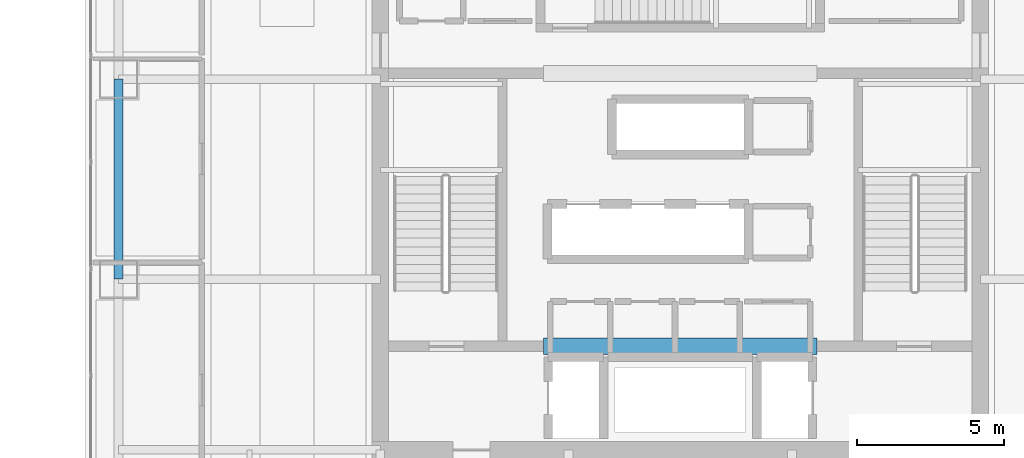
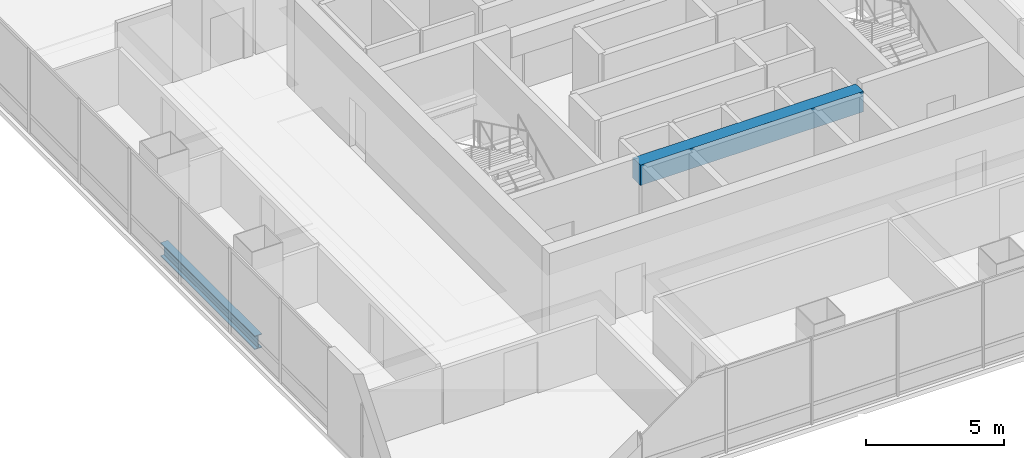
# One storey, part 8 of 51: 2 beams.
"""IFC4 building model written with IfcOpenShell, lengths in metres."""

from ifc_helpers import new_model, si_unit, direction, frame, origin, origin_2d, place, context, subcontext, project, spatial, rectangle, i_section, extrude, material, material_profile, profile_set, type_object, element, save


model = new_model("IFC4")

# Units and contexts
model_context = context("Model", 3, precision=1e-05, world=origin(), true_north=direction((0.0, 1.0)))
body_context = subcontext(model_context, "Body", "Model", "MODEL_VIEW")
ifc_project = project(units=[si_unit("LENGTHUNIT", "METRE"), si_unit("AREAUNIT", "SQUARE_METRE"), si_unit("VOLUMEUNIT", "CUBIC_METRE"), si_unit("PLANEANGLEUNIT", "RADIAN"), si_unit("MASSUNIT", "GRAM", prefix="KILO")], contexts=[model_context])

# Site, building, storey
site_placement = place(None, origin())
site = spatial("IfcSite", under=ifc_project, at=site_placement, CompositionType="ELEMENT")
building_placement = place(site_placement, origin())
building = spatial("IfcBuilding", under=site, at=building_placement, Name="Punatoya Terracotta Tower", CompositionType="ELEMENT")
storey_placement = place(building_placement, frame((0.0, 0.0, 279.75)))
storey = spatial("IfcBuildingStorey", under=building, at=storey_placement, Name="L66", CompositionType="ELEMENT", Elevation=279.75)

# Beams
ifc_material_1 = material(Name="Steel S355", Category="steel")
ifc_material_profile_1 = material_profile(ifc_material_1, i_section(OverallWidth=0.300048828125, OverallDepth=0.60009765625, WebThickness=0.015380859375, FlangeThickness=0.030029296875, FilletRadius=0.01806640625, at=origin_2d()))
ifc_profile_set_1 = profile_set([ifc_material_profile_1], Name="Steel S355")
beam_type_1 = type_object("IfcBeamType", Name="BM-PRI-600", PredefinedType="BEAM", material=ifc_profile_set_1)
beam_1_placement = place(storey_placement, frame((-19.10009765625, -3.39990234375, -0.5), z_axis=(0.0, 1.0, 0.0), x_axis=(-1.0, 0.0, 0.0)))
element("IfcBeam", 1, at=beam_1_placement, inside=storey, type_object=beam_type_1, Name="BM-L66-RG-W2", PredefinedType="BEAM", context=body_context, shape_type="SweptSolid", body=[
    extrude(i_section(OverallWidth=0.300048828125, OverallDepth=0.60009765625, WebThickness=0.015380859375, FlangeThickness=0.030029296875, FilletRadius=0.01806640625, at=origin_2d()), origin(), (0.0, 0.0, 1.0), 6.7998046875),
])
ifc_material_2 = material(Name="Concrete C50/60", Category="concrete")
ifc_material_profile_2 = material_profile(ifc_material_2, rectangle(XDim=0.550048828125, YDim=0.89990234375, at=origin_2d()))
ifc_profile_set_2 = profile_set([ifc_material_profile_2], Name="Concrete C50/60")
beam_type_2 = type_object("IfcBeamType", Name="BM-RC-900", PredefinedType="LINTEL", material=ifc_profile_set_2)
beam_2_placement = place(storey_placement, frame((-4.64990234375, -5.679931640625, 3.320068359375), z_axis=(1.0, 0.0, 0.0), x_axis=(0.0, 1.0, 0.0)))
element("IfcBeam", 2, at=beam_2_placement, inside=storey, type_object=beam_type_2, Name="L66 Core Coupling Lintel CSW", PredefinedType="LINTEL", context=body_context, shape_type="SweptSolid", body=[
    extrude(rectangle(XDim=0.550048828125, YDim=0.89990234375, at=origin_2d()), origin(), (0.0, 0.0, 1.0), 9.2998046875),
])

save(model, "model.ifc")
